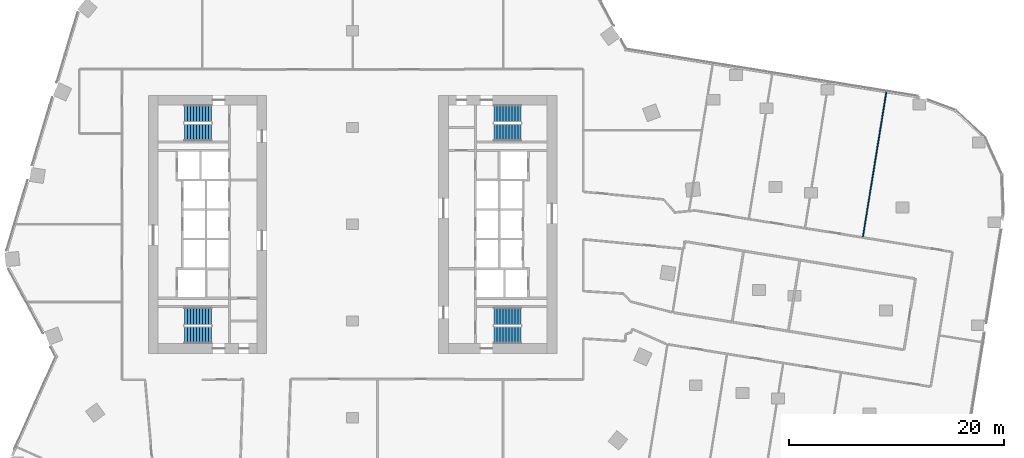
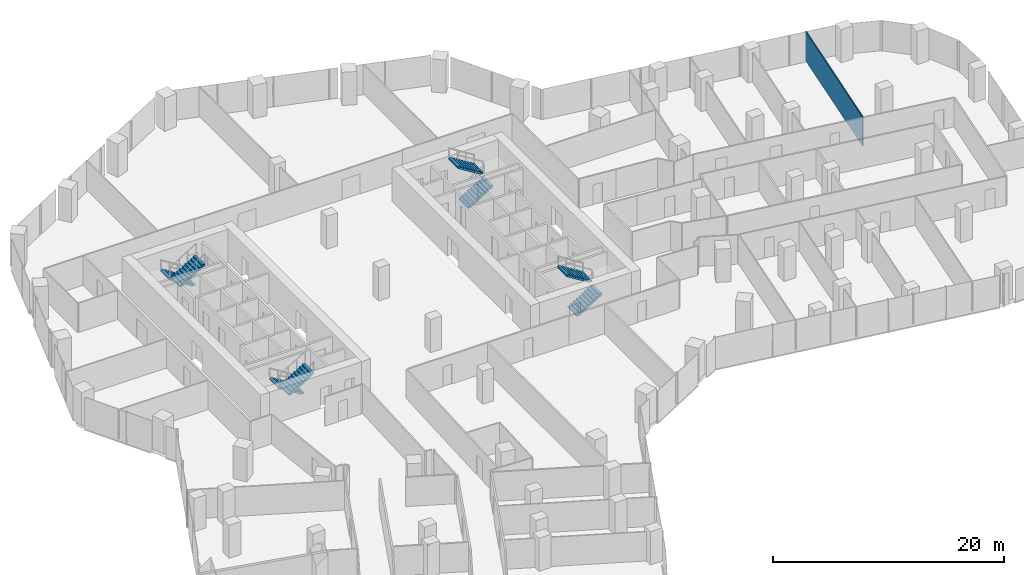
# One storey, part 30 of 34: 8 stair flights, 1 wall, 4 elements without a shape of their own.
"""IFC4 building model written with IfcOpenShell, lengths in metres."""

from ifc_helpers import new_model, si_unit, direction, frame, frame_2d, origin, place, context, subcontext, project, spatial, polyline, rectangle, outline, extrude, material, layer, layer_set, type_object, element, aggregate, save


model = new_model("IFC4")

# Units and contexts
model_context = context("Model", 3, precision=1e-05, world=origin(), true_north=direction((0.0, 1.0)))
body_context = subcontext(model_context, "Body", "Model", "MODEL_VIEW")
ifc_project = project(units=[si_unit("LENGTHUNIT", "METRE"), si_unit("AREAUNIT", "SQUARE_METRE"), si_unit("VOLUMEUNIT", "CUBIC_METRE"), si_unit("PLANEANGLEUNIT", "RADIAN"), si_unit("MASSUNIT", "GRAM", prefix="KILO")], contexts=[model_context])

# Site, building, storey
site_placement = place(None, origin())
site = spatial("IfcSite", under=ifc_project, at=site_placement, CompositionType="ELEMENT")
building_placement = place(site_placement, origin())
building = spatial("IfcBuilding", under=site, at=building_placement, Name="Orlundy Tower", CompositionType="ELEMENT")
storey_placement = place(building_placement, frame((0.0, 0.0, 130.699951171875)))
storey = spatial("IfcBuildingStorey", under=building, at=storey_placement, Name="L33", CompositionType="ELEMENT", Elevation=130.699951171875)

# Wall
ifc_material_1 = material(Name="Gypsum board partition")
ifc_layer = layer(ifc_material_1, 0.10009765625)
ifc_layer_set = layer_set([ifc_layer], Name="Floor partition 100")
wall_type = type_object("IfcWallType", Name="Floor partition 100", PredefinedType="PARTITIONING", material=ifc_layer_set)
wall_placement = place(storey_placement, frame((47.470947265625, -1.1640625, 0.0), z_axis=(0.0, 0.0, 1.0), x_axis=(0.159361135309, 0.987220354608, 0.0)))
element("IfcWall", 1, at=wall_placement, inside=storey, type_object=wall_type, Name="wall-int-L33-059", PredefinedType="PARTITIONING", context=body_context, shape_type="SweptSolid", body=[
    extrude(rectangle(XDim=13.8369140625, YDim=0.10009765625, at=frame_2d((6.91845703125, 0.0))), origin(), (0.0, 0.0, 1.0), 3.080078125),
])

# Stair, stair flights
ifc_material_2 = material(Name="Concrete C50/60", Category="concrete")
stair_type = type_object("IfcStairType", Name="Exit Stair 20 risers", PredefinedType="HALF_TURN_STAIR", material=ifc_material_2)
stair_1_placement = place(storey_placement, origin())
stair_1 = element("IfcStair", 2, at=stair_1_placement, inside=storey, type_object=stair_type, Name="L33 Exit Stair ST-W1", PredefinedType="HALF_TURN_STAIR")
ifc_material_3 = material(Name="Concrete C50/60", Category="concrete")
stair_flight_type = type_object("IfcStairFlightType", Name="Stair Flight 10 risers", PredefinedType="STRAIGHT", material=ifc_material_3)
stair_flight_1_placement = place(storey_placement, frame((-13.139892578125, 10.300048828125, 0.0), z_axis=(0.0, 0.0, 1.0), x_axis=(-1.0, 0.0, 0.0)))
stair_flight_1 = element("IfcStairFlight", 3, at=stair_flight_1_placement, type_object=stair_flight_type, Name="ST-W1 flight 1", NumberOfRisers=10, NumberOfTreads=9, PredefinedType="STRAIGHT", RiserHeight=0.175, TreadLength=0.28, context=body_context, shape_type="SweptSolid", body=[
    extrude(outline(polyline([(0.0, 0.0), (0.0, 0.175048828125), (0.280029296875, 0.175048828125), (0.280029296875, 0.35009765625), (0.56005859375, 0.35009765625), (0.56005859375, 0.52490234375), (0.840087890625, 0.52490234375), (0.840087890625, 0.699951171875), (1.1201171875, 0.699951171875), (1.1201171875, 0.875), (1.39990234375, 0.875), (1.39990234375, 1.050048828125), (1.679931640625, 1.050048828125), (1.679931640625, 1.22509765625), (1.9599609375, 1.22509765625), (1.9599609375, 1.39990234375), (2.239990234375, 1.39990234375), (2.239990234375, 1.574951171875), (2.52001953125, 1.574951171875), (2.52001953125, 1.75), (2.52001953125, 1.398193359375), (0.28271484375, 0.0), (0.0, 0.0)])), frame((0.0, 0.800048828125, 0.0), z_axis=(0.0, -1.0, 0.0), x_axis=(1.0, 0.0, 0.0)), (0.0, 0.0, 1.0), 1.60009765625),
])
stair_flight_2_placement = place(storey_placement, frame((-15.659912109375, 8.550048828125, 1.75), z_axis=(0.0, 0.0, 1.0), x_axis=(1.0, 0.0, 0.0)))
stair_flight_2 = element("IfcStairFlight", 4, at=stair_flight_2_placement, type_object=stair_flight_type, Name="ST-W1 flight 2", NumberOfRisers=10, NumberOfTreads=9, PredefinedType="STRAIGHT", RiserHeight=0.175, TreadLength=0.28, context=body_context, shape_type="SweptSolid", body=[
    extrude(outline(polyline([(0.0, 0.0), (0.0, 0.175048828125), (0.280029296875, 0.175048828125), (0.280029296875, 0.35009765625), (0.56005859375, 0.35009765625), (0.56005859375, 0.52490234375), (0.840087890625, 0.52490234375), (0.840087890625, 0.699951171875), (1.1201171875, 0.699951171875), (1.1201171875, 0.875), (1.39990234375, 0.875), (1.39990234375, 1.050048828125), (1.679931640625, 1.050048828125), (1.679931640625, 1.22509765625), (1.9599609375, 1.22509765625), (1.9599609375, 1.39990234375), (2.239990234375, 1.39990234375), (2.239990234375, 1.574951171875), (2.52001953125, 1.574951171875), (2.52001953125, 1.75), (2.52001953125, 1.398193359375), (0.28271484375, 0.0), (0.0, 0.0)])), frame((0.0, 0.800048828125, 0.0), z_axis=(0.0, -1.0, 0.0), x_axis=(1.0, 0.0, 0.0)), (0.0, 0.0, 1.0), 1.60009765625),
])
aggregate(stair_1, [stair_flight_1, stair_flight_2])

stair_2_placement = place(storey_placement, origin())
stair_2 = element("IfcStair", 5, at=stair_2_placement, inside=storey, type_object=stair_type, Name="L33 Exit Stair ST-W2", PredefinedType="HALF_TURN_STAIR")
stair_flight_3_placement = place(storey_placement, frame((-13.139892578125, -8.550048828125, 0.0), z_axis=(0.0, 0.0, 1.0), x_axis=(-1.0, 0.0, 0.0)))
stair_flight_3 = element("IfcStairFlight", 6, at=stair_flight_3_placement, type_object=stair_flight_type, Name="ST-W2 flight 1", NumberOfRisers=10, NumberOfTreads=9, PredefinedType="STRAIGHT", RiserHeight=0.175, TreadLength=0.28, context=body_context, shape_type="SweptSolid", body=[
    extrude(outline(polyline([(0.0, 0.0), (0.0, 0.175048828125), (0.280029296875, 0.175048828125), (0.280029296875, 0.35009765625), (0.56005859375, 0.35009765625), (0.56005859375, 0.52490234375), (0.840087890625, 0.52490234375), (0.840087890625, 0.699951171875), (1.1201171875, 0.699951171875), (1.1201171875, 0.875), (1.39990234375, 0.875), (1.39990234375, 1.050048828125), (1.679931640625, 1.050048828125), (1.679931640625, 1.22509765625), (1.9599609375, 1.22509765625), (1.9599609375, 1.39990234375), (2.239990234375, 1.39990234375), (2.239990234375, 1.574951171875), (2.52001953125, 1.574951171875), (2.52001953125, 1.75), (2.52001953125, 1.398193359375), (0.28271484375, 0.0), (0.0, 0.0)])), frame((0.0, 0.800048828125, 0.0), z_axis=(0.0, -1.0, 0.0), x_axis=(1.0, 0.0, 0.0)), (0.0, 0.0, 1.0), 1.60009765625),
])
stair_flight_4_placement = place(storey_placement, frame((-15.659912109375, -10.300048828125, 1.75), z_axis=(0.0, 0.0, 1.0), x_axis=(1.0, 0.0, 0.0)))
stair_flight_4 = element("IfcStairFlight", 7, at=stair_flight_4_placement, type_object=stair_flight_type, Name="ST-W2 flight 2", NumberOfRisers=10, NumberOfTreads=9, PredefinedType="STRAIGHT", RiserHeight=0.175, TreadLength=0.28, context=body_context, shape_type="SweptSolid", body=[
    extrude(outline(polyline([(0.0, 0.0), (0.0, 0.175048828125), (0.280029296875, 0.175048828125), (0.280029296875, 0.35009765625), (0.56005859375, 0.35009765625), (0.56005859375, 0.52490234375), (0.840087890625, 0.52490234375), (0.840087890625, 0.699951171875), (1.1201171875, 0.699951171875), (1.1201171875, 0.875), (1.39990234375, 0.875), (1.39990234375, 1.050048828125), (1.679931640625, 1.050048828125), (1.679931640625, 1.22509765625), (1.9599609375, 1.22509765625), (1.9599609375, 1.39990234375), (2.239990234375, 1.39990234375), (2.239990234375, 1.574951171875), (2.52001953125, 1.574951171875), (2.52001953125, 1.75), (2.52001953125, 1.398193359375), (0.28271484375, 0.0), (0.0, 0.0)])), frame((0.0, 0.800048828125, 0.0), z_axis=(0.0, -1.0, 0.0), x_axis=(1.0, 0.0, 0.0)), (0.0, 0.0, 1.0), 1.60009765625),
])
aggregate(stair_2, [stair_flight_3, stair_flight_4])

stair_3_placement = place(storey_placement, origin())
stair_3 = element("IfcStair", 8, at=stair_3_placement, inside=storey, type_object=stair_type, Name="L33 Exit Stair ST-E1", PredefinedType="HALF_TURN_STAIR")
stair_flight_5_placement = place(storey_placement, frame((13.139892578125, -10.300048828125, 0.0), z_axis=(0.0, 0.0, 1.0), x_axis=(1.0, 0.0, 0.0)))
stair_flight_5 = element("IfcStairFlight", 9, at=stair_flight_5_placement, type_object=stair_flight_type, Name="ST-E1 flight 1", NumberOfRisers=10, NumberOfTreads=9, PredefinedType="STRAIGHT", RiserHeight=0.175, TreadLength=0.28, context=body_context, shape_type="SweptSolid", body=[
    extrude(outline(polyline([(0.0, 0.0), (0.0, 0.175048828125), (0.280029296875, 0.175048828125), (0.280029296875, 0.35009765625), (0.56005859375, 0.35009765625), (0.56005859375, 0.52490234375), (0.840087890625, 0.52490234375), (0.840087890625, 0.699951171875), (1.1201171875, 0.699951171875), (1.1201171875, 0.875), (1.39990234375, 0.875), (1.39990234375, 1.050048828125), (1.679931640625, 1.050048828125), (1.679931640625, 1.22509765625), (1.9599609375, 1.22509765625), (1.9599609375, 1.39990234375), (2.239990234375, 1.39990234375), (2.239990234375, 1.574951171875), (2.52001953125, 1.574951171875), (2.52001953125, 1.75), (2.52001953125, 1.398193359375), (0.28271484375, 0.0), (0.0, 0.0)])), frame((0.0, 0.800048828125, 0.0), z_axis=(0.0, -1.0, 0.0), x_axis=(1.0, 0.0, 0.0)), (0.0, 0.0, 1.0), 1.60009765625),
])
stair_flight_6_placement = place(storey_placement, frame((15.659912109375, -8.550048828125, 1.75), z_axis=(0.0, 0.0, 1.0), x_axis=(-1.0, 0.0, 0.0)))
stair_flight_6 = element("IfcStairFlight", 10, at=stair_flight_6_placement, type_object=stair_flight_type, Name="ST-E1 flight 2", NumberOfRisers=10, NumberOfTreads=9, PredefinedType="STRAIGHT", RiserHeight=0.175, TreadLength=0.28, context=body_context, shape_type="SweptSolid", body=[
    extrude(outline(polyline([(0.0, 0.0), (0.0, 0.175048828125), (0.280029296875, 0.175048828125), (0.280029296875, 0.35009765625), (0.56005859375, 0.35009765625), (0.56005859375, 0.52490234375), (0.840087890625, 0.52490234375), (0.840087890625, 0.699951171875), (1.1201171875, 0.699951171875), (1.1201171875, 0.875), (1.39990234375, 0.875), (1.39990234375, 1.050048828125), (1.679931640625, 1.050048828125), (1.679931640625, 1.22509765625), (1.9599609375, 1.22509765625), (1.9599609375, 1.39990234375), (2.239990234375, 1.39990234375), (2.239990234375, 1.574951171875), (2.52001953125, 1.574951171875), (2.52001953125, 1.75), (2.52001953125, 1.398193359375), (0.28271484375, 0.0), (0.0, 0.0)])), frame((0.0, 0.800048828125, 0.0), z_axis=(0.0, -1.0, 0.0), x_axis=(1.0, 0.0, 0.0)), (0.0, 0.0, 1.0), 1.60009765625),
])
aggregate(stair_3, [stair_flight_5, stair_flight_6])

stair_4_placement = place(storey_placement, origin())
stair_4 = element("IfcStair", 11, at=stair_4_placement, inside=storey, type_object=stair_type, Name="L33 Exit Stair ST-E2", PredefinedType="HALF_TURN_STAIR")
stair_flight_7_placement = place(storey_placement, frame((13.139892578125, 8.550048828125, 0.0), z_axis=(0.0, 0.0, 1.0), x_axis=(1.0, 0.0, 0.0)))
stair_flight_7 = element("IfcStairFlight", 12, at=stair_flight_7_placement, type_object=stair_flight_type, Name="ST-E2 flight 1", NumberOfRisers=10, NumberOfTreads=9, PredefinedType="STRAIGHT", RiserHeight=0.175, TreadLength=0.28, context=body_context, shape_type="SweptSolid", body=[
    extrude(outline(polyline([(0.0, 0.0), (0.0, 0.175048828125), (0.280029296875, 0.175048828125), (0.280029296875, 0.35009765625), (0.56005859375, 0.35009765625), (0.56005859375, 0.52490234375), (0.840087890625, 0.52490234375), (0.840087890625, 0.699951171875), (1.1201171875, 0.699951171875), (1.1201171875, 0.875), (1.39990234375, 0.875), (1.39990234375, 1.050048828125), (1.679931640625, 1.050048828125), (1.679931640625, 1.22509765625), (1.9599609375, 1.22509765625), (1.9599609375, 1.39990234375), (2.239990234375, 1.39990234375), (2.239990234375, 1.574951171875), (2.52001953125, 1.574951171875), (2.52001953125, 1.75), (2.52001953125, 1.398193359375), (0.28271484375, 0.0), (0.0, 0.0)])), frame((0.0, 0.800048828125, 0.0), z_axis=(0.0, -1.0, 0.0), x_axis=(1.0, 0.0, 0.0)), (0.0, 0.0, 1.0), 1.60009765625),
])
stair_flight_8_placement = place(storey_placement, frame((15.659912109375, 10.300048828125, 1.75), z_axis=(0.0, 0.0, 1.0), x_axis=(-1.0, 0.0, 0.0)))
stair_flight_8 = element("IfcStairFlight", 13, at=stair_flight_8_placement, type_object=stair_flight_type, Name="ST-E2 flight 2", NumberOfRisers=10, NumberOfTreads=9, PredefinedType="STRAIGHT", RiserHeight=0.175, TreadLength=0.28, context=body_context, shape_type="SweptSolid", body=[
    extrude(outline(polyline([(0.0, 0.0), (0.0, 0.175048828125), (0.280029296875, 0.175048828125), (0.280029296875, 0.35009765625), (0.56005859375, 0.35009765625), (0.56005859375, 0.52490234375), (0.840087890625, 0.52490234375), (0.840087890625, 0.699951171875), (1.1201171875, 0.699951171875), (1.1201171875, 0.875), (1.39990234375, 0.875), (1.39990234375, 1.050048828125), (1.679931640625, 1.050048828125), (1.679931640625, 1.22509765625), (1.9599609375, 1.22509765625), (1.9599609375, 1.39990234375), (2.239990234375, 1.39990234375), (2.239990234375, 1.574951171875), (2.52001953125, 1.574951171875), (2.52001953125, 1.75), (2.52001953125, 1.398193359375), (0.28271484375, 0.0), (0.0, 0.0)])), frame((0.0, 0.800048828125, 0.0), z_axis=(0.0, -1.0, 0.0), x_axis=(1.0, 0.0, 0.0)), (0.0, 0.0, 1.0), 1.60009765625),
])
aggregate(stair_4, [stair_flight_7, stair_flight_8])

save(model, "model.ifc")
